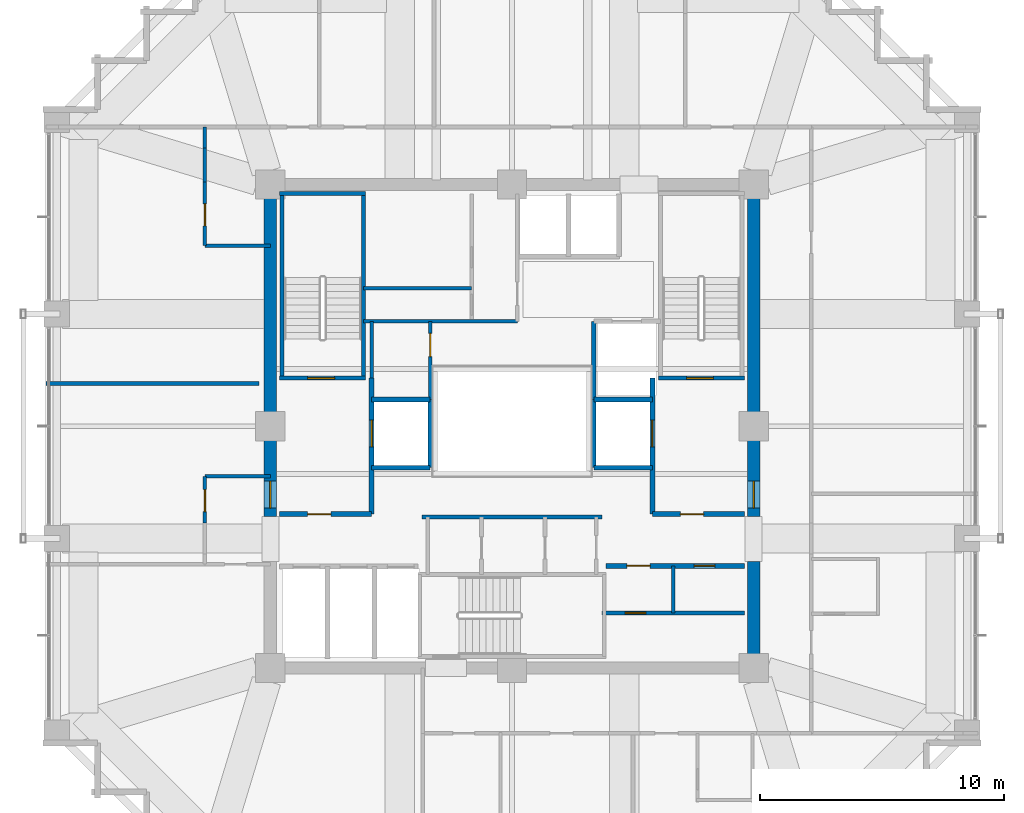
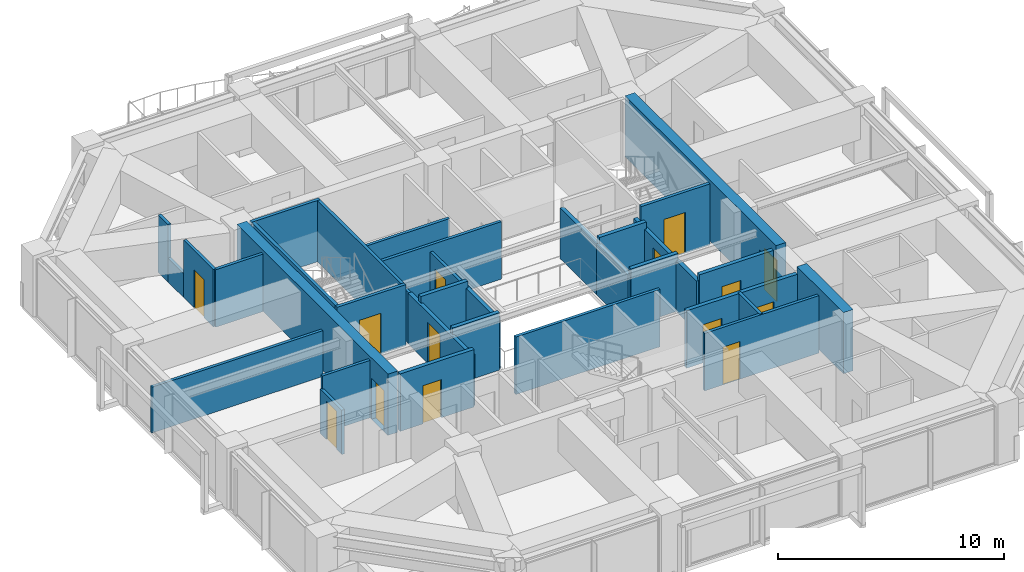
# One storey, part 25 of 28: 34 walls, 14 doors, 14 openings.
"""IFC4 building model written with IfcOpenShell, lengths in metres."""

from ifc_helpers import new_model, si_unit, direction, frame, frame_2d, origin, place, context, subcontext, project, spatial, rectangle, extrude, material, layer, layer_set, type_object, element, fill, save


model = new_model("IFC4")

# Units and contexts
model_context = context("Model", 3, precision=1e-05, world=origin(), true_north=direction((0.0, 1.0)))
body_context = subcontext(model_context, "Body", "Model", "MODEL_VIEW")
ifc_project = project(units=[si_unit("LENGTHUNIT", "METRE"), si_unit("AREAUNIT", "SQUARE_METRE"), si_unit("VOLUMEUNIT", "CUBIC_METRE"), si_unit("PLANEANGLEUNIT", "RADIAN"), si_unit("MASSUNIT", "GRAM", prefix="KILO")], contexts=[model_context])

# Site, building, storey
site_placement = place(None, origin())
site = spatial("IfcSite", under=ifc_project, at=site_placement, CompositionType="ELEMENT")
building_placement = place(site_placement, origin())
building = spatial("IfcBuilding", under=site, at=building_placement, Name="Kolvaren Belvedere", CompositionType="ELEMENT")
storey_placement = place(building_placement, frame((0.0, 0.0, 125.0)))
storey = spatial("IfcBuildingStorey", under=building, at=storey_placement, Name="L36", CompositionType="ELEMENT", Elevation=125.0)

# Wall
ifc_material_1 = material(Name="Concrete C50/60", Category="concrete")
ifc_layer_1 = layer(ifc_material_1, 0.5)
ifc_layer_set_1 = layer_set([ifc_layer_1], Name="Concrete C50/60")
wall_type_1 = type_object("IfcWallType", Name="CW-CORE-500", PredefinedType="SHEAR", material=ifc_layer_set_1)
wall_1_placement = place(storey_placement, frame((9.89990234375, -9.64990234375, 0.0), z_axis=(0.0, 0.0, 1.0), x_axis=(0.0, 1.0, 0.0)))
element("IfcWall", 1, at=wall_1_placement, inside=storey, type_object=wall_type_1, Name="L36 East Core Shear Wall 1", PredefinedType="SHEAR", context=body_context, shape_type="SweptSolid", body=[
    extrude(rectangle(XDim=4.099853515625, YDim=0.5, at=frame_2d((2.0498046875, 0.0))), origin(), (0.0, 0.0, 1.0), 3.300048828125),
])

# Wall, opening, door
wall_2_placement = place(storey_placement, frame((-9.89990234375, -3.699951171875, 0.0), z_axis=(0.0, 0.0, 1.0), x_axis=(0.0, 1.0, 0.0)))
wall_2 = element("IfcWall", 2, at=wall_2_placement, inside=storey, type_object=wall_type_1, Name="L36 West Core Shear Wall 2", PredefinedType="SHEAR", context=body_context, shape_type="SweptSolid", body=[
    extrude(rectangle(XDim=13.349853515625, YDim=0.5, at=frame_2d((6.6748046875, 0.0))), origin(), (0.0, 0.0, 1.0), 3.300048828125),
])
opening_1_placement = place(wall_2_placement, frame((0.35009765625, 0.0, 0.0)))
opening_1 = element("IfcOpeningElement", 3, at=opening_1_placement, cuts=wall_2, Name="Opening D-FD90", PredefinedType="OPENING", context=body_context, shape_type="SweptSolid", body=[
    extrude(rectangle(XDim=1.10009765625, YDim=2.199951171875, at=frame_2d((0.550048828125, 1.10009765625))), frame((0.0, 0.260009765625, 0.0), z_axis=(0.0, -1.0, 0.0), x_axis=(1.0, 0.0, 0.0)), (0.0, 0.0, 1.0), 0.52001953125),
])
ifc_material_2 = material(Name="Painted hollow stainless steel", Category="steel")
door_type_1 = type_object("IfcDoorType", Name="DR-FD90-1100", OperationType="NOTDEFINED", PredefinedType="DOOR", material=ifc_material_2)
door_1_placement = place(opening_1_placement, origin())
door_1 = element("IfcDoor", 4, at=door_1_placement, inside=storey, type_object=door_type_1, Name="L36 West Firefighting Lobby Fire Door", OperationType="SINGLE_SWING_LEFT", OverallHeight=2.199951171875, OverallWidth=1.10009765625, PredefinedType="DOOR", context=body_context, shape_type="SweptSolid", body=[
    extrude(rectangle(XDim=1.10009765625, YDim=2.199951171875, at=frame_2d((0.550048828125, 1.10009765625))), frame((0.0, 0.02490234375, 0.0), z_axis=(0.0, -1.0, 0.0), x_axis=(1.0, 0.0, 0.0)), (0.0, 0.0, 1.0), 0.050048828125),
])
fill(opening_1, door_1)

wall_3_placement = place(storey_placement, frame((9.89990234375, -3.699951171875, 0.0), z_axis=(0.0, 0.0, 1.0), x_axis=(0.0, 1.0, 0.0)))
wall_3 = element("IfcWall", 5, at=wall_3_placement, inside=storey, type_object=wall_type_1, Name="L36 East Core Shear Wall 2", PredefinedType="SHEAR", context=body_context, shape_type="SweptSolid", body=[
    extrude(rectangle(XDim=13.349853515625, YDim=0.5, at=frame_2d((6.6748046875, 0.0))), origin(), (0.0, 0.0, 1.0), 3.300048828125),
])
opening_2_placement = place(wall_3_placement, frame((0.35009765625, 0.0, 0.0)))
opening_2 = element("IfcOpeningElement", 6, at=opening_2_placement, cuts=wall_3, Name="Opening D-FD90", PredefinedType="OPENING", context=body_context, shape_type="SweptSolid", body=[
    extrude(rectangle(XDim=1.10009765625, YDim=2.199951171875, at=frame_2d((0.550048828125, 1.10009765625))), frame((0.0, 0.260009765625, 0.0), z_axis=(0.0, -1.0, 0.0), x_axis=(1.0, 0.0, 0.0)), (0.0, 0.0, 1.0), 0.52001953125),
])
door_2_placement = place(opening_2_placement, origin())
door_2 = element("IfcDoor", 7, at=door_2_placement, inside=storey, type_object=door_type_1, Name="L36 East Firefighting Lobby Fire Door", OperationType="SINGLE_SWING_RIGHT", OverallHeight=2.199951171875, OverallWidth=1.10009765625, PredefinedType="DOOR", context=body_context, shape_type="SweptSolid", body=[
    extrude(rectangle(XDim=1.10009765625, YDim=2.199951171875, at=frame_2d((0.550048828125, 1.10009765625))), frame((0.0, 0.02490234375, 0.0), z_axis=(0.0, -1.0, 0.0), x_axis=(1.0, 0.0, 0.0)), (0.0, 0.0, 1.0), 0.050048828125),
])
fill(opening_2, door_2)

ifc_material_3 = material(Name="Concrete C50/60", Category="concrete")
ifc_layer_2 = layer(ifc_material_3, 0.159912109375)
ifc_layer_set_2 = layer_set([ifc_layer_2], Name="Concrete C50/60")
wall_type_2 = type_object("IfcWallType", Name="CW-STAIR-160", PredefinedType="SHEAR", material=ifc_layer_set_2)
wall_4_placement = place(storey_placement, frame((-9.52001953125, 1.969970703125, 0.0), z_axis=(0.0, 0.0, 1.0), x_axis=(1.0, 0.0, 0.0)))
wall_4 = element("IfcWall", 8, at=wall_4_placement, inside=storey, type_object=wall_type_2, Name="L36 Stair ST-1 South Shear Wall", PredefinedType="SHEAR", context=body_context, shape_type="SweptSolid", body=[
    extrude(rectangle(XDim=3.52001953125, YDim=0.159912109375, at=frame_2d((1.760009765625, 0.0))), origin(), (0.0, 0.0, 1.0), 3.300048828125),
])
opening_3_placement = place(wall_4_placement, frame((1.14990234375, 0.0, 0.0)))
opening_3 = element("IfcOpeningElement", 9, at=opening_3_placement, cuts=wall_4, Name="Opening D-FD90", PredefinedType="OPENING", context=body_context, shape_type="SweptSolid", body=[
    extrude(rectangle(XDim=1.10009765625, YDim=2.199951171875, at=frame_2d((0.550048828125, 1.10009765625))), frame((0.0, 0.08984375, 0.0), z_axis=(0.0, -1.0, 0.0), x_axis=(1.0, 0.0, 0.0)), (0.0, 0.0, 1.0), 0.179931640625),
])
door_3_placement = place(opening_3_placement, origin())
door_3 = element("IfcDoor", 10, at=door_3_placement, inside=storey, type_object=door_type_1, Name="L36 Stair ST-1 Fire Door", OperationType="SINGLE_SWING_LEFT", OverallHeight=2.199951171875, OverallWidth=1.10009765625, PredefinedType="DOOR", context=body_context, shape_type="SweptSolid", body=[
    extrude(rectangle(XDim=1.10009765625, YDim=2.199951171875, at=frame_2d((0.550048828125, 1.10009765625))), frame((0.0, 0.02490234375, 0.0), z_axis=(0.0, -1.0, 0.0), x_axis=(1.0, 0.0, 0.0)), (0.0, 0.0, 1.0), 0.050048828125),
])
fill(opening_3, door_3)

# Walls
wall_5_placement = place(storey_placement, frame((-9.52001953125, 9.530029296875, 0.0), z_axis=(0.0, 0.0, 1.0), x_axis=(1.0, 0.0, 0.0)))
element("IfcWall", 11, at=wall_5_placement, inside=storey, type_object=wall_type_2, Name="L36 Stair ST-1 North Shear Wall", PredefinedType="SHEAR", context=body_context, shape_type="SweptSolid", body=[
    extrude(rectangle(XDim=3.52001953125, YDim=0.159912109375, at=frame_2d((1.760009765625, 0.0))), origin(), (0.0, 0.0, 1.0), 3.300048828125),
])
for number, where, z_axis, x_axis, name in (
    (12, (-9.429931640625, 1.969970703125, 0.0), (0.0, 0.0, 1.0), (0.0, 1.0, 0.0), "L36 Stair ST-1 West Shear Wall"),
    (13, (-6.080078125, 1.969970703125, 0.0), (0.0, 0.0, 1.0), (0.0, 1.0, 0.0), "L36 Stair ST-1 East Shear Wall"),
):
    element("IfcWall", number, at=place(storey_placement, frame(where, z_axis=z_axis, x_axis=x_axis)), inside=storey, type_object=wall_type_2, Name=name, PredefinedType="SHEAR", context=body_context, shape_type="SweptSolid", body=[
        extrude(rectangle(XDim=7.56005859375, YDim=0.159912109375, at=frame_2d((3.780029296875, 0.0))), origin(), (0.0, 0.0, 1.0), 3.300048828125),
    ])

# Wall, opening, door
wall_6_placement = place(storey_placement, frame((6.0, 1.969970703125, 0.0), z_axis=(0.0, 0.0, 1.0), x_axis=(1.0, 0.0, 0.0)))
wall_6 = element("IfcWall", 14, at=wall_6_placement, inside=storey, type_object=wall_type_2, Name="L36 Stair ST-2 South Shear Wall", PredefinedType="SHEAR", context=body_context, shape_type="SweptSolid", body=[
    extrude(rectangle(XDim=3.52001953125, YDim=0.159912109375, at=frame_2d((1.760009765625, 0.0))), origin(), (0.0, 0.0, 1.0), 3.300048828125),
])
opening_4_placement = place(wall_6_placement, frame((1.14990234375, 0.0, 0.0)))
opening_4 = element("IfcOpeningElement", 15, at=opening_4_placement, cuts=wall_6, Name="Opening D-FD90", PredefinedType="OPENING", context=body_context, shape_type="SweptSolid", body=[
    extrude(rectangle(XDim=1.10009765625, YDim=2.199951171875, at=frame_2d((0.550048828125, 1.10009765625))), frame((0.0, 0.08984375, 0.0), z_axis=(0.0, -1.0, 0.0), x_axis=(1.0, 0.0, 0.0)), (0.0, 0.0, 1.0), 0.179931640625),
])
door_4_placement = place(opening_4_placement, origin())
door_4 = element("IfcDoor", 16, at=door_4_placement, inside=storey, type_object=door_type_1, Name="L36 Stair ST-2 Fire Door", OperationType="SINGLE_SWING_RIGHT", OverallHeight=2.199951171875, OverallWidth=1.10009765625, PredefinedType="DOOR", context=body_context, shape_type="SweptSolid", body=[
    extrude(rectangle(XDim=1.10009765625, YDim=2.199951171875, at=frame_2d((0.550048828125, 1.10009765625))), frame((0.0, 0.02490234375, 0.0), z_axis=(0.0, -1.0, 0.0), x_axis=(1.0, 0.0, 0.0)), (0.0, 0.0, 1.0), 0.050048828125),
])
fill(opening_4, door_4)

ifc_material_4 = material(Name="Gypsum fire-rated partition assembly", Category="gypsum")
ifc_layer_3 = layer(ifc_material_4, 0.14990234375)
ifc_layer_set_3 = layer_set([ifc_layer_3], Name="Gypsum fire-rated partition assembly")
wall_type_3 = type_object("IfcWallType", Name="WL-CORR-150", PredefinedType="PARTITIONING", material=ifc_layer_set_3)
wall_7_placement = place(storey_placement, frame((-12.580078125, 7.39990234375, 0.0), z_axis=(0.0, 0.0, 1.0), x_axis=(0.0, 1.0, 0.0)))
wall_7 = element("IfcWall", 17, at=wall_7_placement, inside=storey, type_object=wall_type_3, Name="L36 NW Corridor End Wall", PredefinedType="PARTITIONING", context=body_context, shape_type="SweptSolid", body=[
    extrude(rectangle(XDim=2.615966796875, YDim=0.14990234375, at=frame_2d((1.30810546875, 0.0))), origin(), (0.0, 0.0, 1.0), 3.10009765625),
])
opening_5_placement = place(wall_7_placement, frame((0.810302734375, 0.0, 0.0)))
opening_5 = element("IfcOpeningElement", 18, at=opening_5_placement, cuts=wall_7, Name="Opening D-INT90", PredefinedType="OPENING", context=body_context, shape_type="SweptSolid", body=[
    extrude(rectangle(XDim=0.89990234375, YDim=2.06005859375, at=frame_2d((0.449951171875, 1.030029296875))), frame((0.0, 0.0849609375, 0.0), z_axis=(0.0, -1.0, 0.0), x_axis=(1.0, 0.0, 0.0)), (0.0, 0.0, 1.0), 0.169921875),
])
ifc_material_5 = material(Name="Stained Pacific white oak", Category="timber")
door_type_2 = type_object("IfcDoorType", Name="DR-INT-900", OperationType="NOTDEFINED", PredefinedType="DOOR", material=ifc_material_5)
door_5_placement = place(opening_5_placement, origin())
door_5 = element("IfcDoor", 19, at=door_5_placement, inside=storey, type_object=door_type_2, Name="L36 Lounge 3607 Door", OperationType="SINGLE_SWING_RIGHT", OverallHeight=2.06005859375, OverallWidth=0.89990234375, PredefinedType="DOOR", context=body_context, shape_type="SweptSolid", body=[
    extrude(rectangle(XDim=0.89990234375, YDim=2.06005859375, at=frame_2d((0.449951171875, 1.030029296875))), frame((0.0, 0.02490234375, 0.0), z_axis=(0.0, -1.0, 0.0), x_axis=(1.0, 0.0, 0.0)), (0.0, 0.0, 1.0), 0.050048828125),
])
fill(opening_5, door_5)

# Walls
wall_8_placement = place(storey_placement, frame((-12.580078125, 10.015869140625, 0.0), z_axis=(0.0, 0.0, 1.0), x_axis=(0.0, 1.0, 0.0)))
element("IfcWall", 20, at=wall_8_placement, inside=storey, type_object=wall_type_3, Name="L36 NW Corridor End Wall", PredefinedType="PARTITIONING", context=body_context, shape_type="SweptSolid", body=[
    extrude(rectangle(XDim=1.3916015625, YDim=0.14990234375, at=frame_2d((0.69580078125, 0.0))), origin(), (0.0, 0.0, 1.0), 1.284912109375),
])
wall_9_placement = place(storey_placement, frame((-12.580078125, 11.407470703125, 0.0), z_axis=(0.0, 0.0, 1.0), x_axis=(0.0, 1.0, 0.0)))
element("IfcWall", 21, at=wall_9_placement, inside=storey, type_object=wall_type_3, Name="L36 NW Corridor End Wall", PredefinedType="PARTITIONING", context=body_context, shape_type="SweptSolid", body=[
    extrude(rectangle(XDim=0.8525390625, YDim=0.14990234375, at=frame_2d((0.42626953125, 0.0))), origin(), (0.0, 0.0, 1.0), 3.10009765625),
])
wall_10_placement = place(storey_placement, frame((-12.580078125, 7.39990234375, 0.0), z_axis=(0.0, 0.0, 1.0), x_axis=(1.0, 0.0, 0.0)))
element("IfcWall", 22, at=wall_10_placement, inside=storey, type_object=wall_type_3, Name="L36 NW Core Closure Wall", PredefinedType="PARTITIONING", context=body_context, shape_type="SweptSolid", body=[
    extrude(rectangle(XDim=2.68017578125, YDim=0.14990234375, at=frame_2d((1.340087890625, 0.0))), origin(), (0.0, 0.0, 1.0), 3.10009765625),
])

# Wall, opening, door
wall_11_placement = place(storey_placement, frame((-12.580078125, -3.9580078125, 0.0), z_axis=(0.0, 0.0, 1.0), x_axis=(0.0, 1.0, 0.0)))
wall_11 = element("IfcWall", 23, at=wall_11_placement, inside=storey, type_object=wall_type_3, Name="L36 West FSAE Pocket Wall", PredefinedType="PARTITIONING", context=body_context, shape_type="SweptSolid", body=[
    extrude(rectangle(XDim=1.907958984375, YDim=0.14990234375, at=frame_2d((0.9541015625, 0.0))), origin(), (0.0, 0.0, 1.0), 2.388916015625),
])
opening_6_placement = place(wall_11_placement, frame((0.464111328125, 0.0, 0.0)))
opening_6 = element("IfcOpeningElement", 24, at=opening_6_placement, cuts=wall_11, Name="Opening D-INT90", PredefinedType="OPENING", context=body_context, shape_type="SweptSolid", body=[
    extrude(rectangle(XDim=0.89990234375, YDim=2.06005859375, at=frame_2d((0.449951171875, 1.030029296875))), frame((0.0, 0.0849609375, 0.0), z_axis=(0.0, -1.0, 0.0), x_axis=(1.0, 0.0, 0.0)), (0.0, 0.0, 1.0), 0.169921875),
])
door_6_placement = place(opening_6_placement, origin())
door_6 = element("IfcDoor", 25, at=door_6_placement, inside=storey, type_object=door_type_2, Name="L36 Lounge 3608 Door", OperationType="SINGLE_SWING_LEFT", OverallHeight=2.06005859375, OverallWidth=0.89990234375, PredefinedType="DOOR", context=body_context, shape_type="SweptSolid", body=[
    extrude(rectangle(XDim=0.89990234375, YDim=2.06005859375, at=frame_2d((0.449951171875, 1.030029296875))), frame((0.0, 0.02490234375, 0.0), z_axis=(0.0, -1.0, 0.0), x_axis=(1.0, 0.0, 0.0)), (0.0, 0.0, 1.0), 0.050048828125),
])
fill(opening_6, door_6)

# Walls
wall_12_placement = place(storey_placement, frame((-12.580078125, -2.050048828125, 0.0), z_axis=(0.0, 0.0, 1.0), x_axis=(1.0, 0.0, 0.0)))
element("IfcWall", 26, at=wall_12_placement, inside=storey, type_object=wall_type_3, Name="L36 West Pocket North Closure Wall", PredefinedType="PARTITIONING", context=body_context, shape_type="SweptSolid", body=[
    extrude(rectangle(XDim=2.68017578125, YDim=0.14990234375, at=frame_2d((1.340087890625, 0.0))), origin(), (0.0, 0.0, 1.0), 3.10009765625),
])
ifc_material_6 = material(Name="Gypsum acoustic partition assembly", Category="gypsum")
ifc_layer_4 = layer(ifc_material_6, 0.14990234375)
ifc_layer_set_4 = layer_set([ifc_layer_4], Name="Gypsum acoustic partition assembly")
wall_type_4 = type_object("IfcWallType", Name="WL-PART-150", PredefinedType="PARTITIONING", material=ifc_layer_set_4)
wall_13_placement = place(storey_placement, frame((-6.080078125, 4.300048828125, 0.0), z_axis=(0.0, 0.0, 1.0), x_axis=(1.0, 0.0, 0.0)))
element("IfcWall", 27, at=wall_13_placement, inside=storey, type_object=wall_type_4, Name="L36 Reclaimed Salon South Wall", PredefinedType="PARTITIONING", context=body_context, shape_type="SweptSolid", body=[
    extrude(rectangle(XDim=6.300048828125, YDim=0.14990234375, at=frame_2d((3.14990234375, 0.0))), origin(), (0.0, 0.0, 1.0), 3.10009765625),
])
wall_14_placement = place(storey_placement, frame((-6.080078125, 5.64990234375, 0.0), z_axis=(0.0, 0.0, 1.0), x_axis=(1.0, 0.0, 0.0)))
element("IfcWall", 28, at=wall_14_placement, inside=storey, type_object=wall_type_4, Name="L36 Reclaimed Tearoom H-Divider", PredefinedType="PARTITIONING", context=body_context, shape_type="SweptSolid", body=[
    extrude(rectangle(XDim=4.43017578125, YDim=0.14990234375, at=frame_2d((2.215087890625, 0.0))), origin(), (0.0, 0.0, 1.0), 3.10009765625),
])

# Wall, opening, door
wall_15_placement = place(storey_placement, frame((3.679931640625, -7.64990234375, 0.0), z_axis=(0.0, 0.0, 1.0), x_axis=(1.0, 0.0, 0.0)))
wall_15 = element("IfcWall", 29, at=wall_15_placement, inside=storey, type_object=wall_type_4, Name="L36 SE Core H-Divider", PredefinedType="PARTITIONING", context=body_context, shape_type="SweptSolid", body=[
    extrude(rectangle(XDim=5.840087890625, YDim=0.14990234375, at=frame_2d((2.919921875, 0.0))), origin(), (0.0, 0.0, 1.0), 3.10009765625),
])
opening_7_placement = place(wall_15_placement, frame((0.949951171875, 0.0, 0.0)))
opening_7 = element("IfcOpeningElement", 30, at=opening_7_placement, cuts=wall_15, Name="Opening D-INT85", PredefinedType="OPENING", context=body_context, shape_type="SweptSolid", body=[
    extrude(rectangle(XDim=0.85009765625, YDim=2.030029296875, at=frame_2d((0.425048828125, 1.01513671875))), frame((0.0, 0.0849609375, 0.0), z_axis=(0.0, -1.0, 0.0), x_axis=(1.0, 0.0, 0.0)), (0.0, 0.0, 1.0), 0.169921875),
])
ifc_material_7 = material(Name="Stained Pacific white oak", Category="timber")
door_type_3 = type_object("IfcDoorType", Name="DR-INT-850", OperationType="NOTDEFINED", PredefinedType="DOOR", material=ifc_material_7)
door_7_placement = place(opening_7_placement, origin())
door_7 = element("IfcDoor", 31, at=door_7_placement, inside=storey, type_object=door_type_3, Name="L36 SE Fibre Door", OperationType="SINGLE_SWING_RIGHT", OverallHeight=2.030029296875, OverallWidth=0.85009765625, PredefinedType="DOOR", context=body_context, shape_type="SweptSolid", body=[
    extrude(rectangle(XDim=0.85009765625, YDim=2.030029296875, at=frame_2d((0.425048828125, 1.01513671875))), frame((0.0, 0.02490234375, 0.0), z_axis=(0.0, -1.0, 0.0), x_axis=(1.0, 0.0, 0.0)), (0.0, 0.0, 1.0), 0.050048828125),
])
fill(opening_7, door_7)

# Walls
wall_16_placement = place(storey_placement, frame((6.60009765625, -7.64990234375, 0.0), z_axis=(0.0, 0.0, 1.0), x_axis=(0.0, 1.0, 0.0)))
element("IfcWall", 32, at=wall_16_placement, inside=storey, type_object=wall_type_4, Name="L36 SE Core V-Divider", PredefinedType="PARTITIONING", context=body_context, shape_type="SweptSolid", body=[
    extrude(rectangle(XDim=1.929931640625, YDim=0.14990234375, at=frame_2d((0.96484375, 0.0))), origin(), (0.0, 0.0, 1.0), 3.10009765625),
])
wall_17_placement = place(storey_placement, frame((-3.679931640625, -3.719970703125, 0.0), z_axis=(0.0, 0.0, 1.0), x_axis=(1.0, 0.0, 0.0)))
element("IfcWall", 33, at=wall_17_placement, inside=storey, type_object=wall_type_4, Name="L36 South Core Service North Wall", PredefinedType="PARTITIONING", context=body_context, shape_type="SweptSolid", body=[
    extrude(rectangle(XDim=7.35986328125, YDim=0.14990234375, at=frame_2d((3.679931640625, 0.0))), origin(), (0.0, 0.0, 1.0), 3.10009765625),
])

# Wall, opening, door
wall_18_placement = place(storey_placement, frame((-3.35009765625, 1.10009765625, 0.0), z_axis=(0.0, 0.0, 1.0), x_axis=(0.0, 1.0, 0.0)))
wall_18 = element("IfcWall", 34, at=wall_18_placement, inside=storey, type_object=wall_type_4, Name="L36 NW Service Room East Wall", PredefinedType="PARTITIONING", context=body_context, shape_type="SweptSolid", body=[
    extrude(rectangle(XDim=3.199951171875, YDim=0.14990234375, at=frame_2d((1.60009765625, 0.0))), origin(), (0.0, 0.0, 1.0), 2.735107421875),
])
opening_8_placement = place(wall_18_placement, frame((1.75, 0.0, 0.0)))
opening_8 = element("IfcOpeningElement", 35, at=opening_8_placement, cuts=wall_18, Name="Opening D-FD60", PredefinedType="OPENING", context=body_context, shape_type="SweptSolid", body=[
    extrude(rectangle(XDim=0.949951171875, YDim=2.06005859375, at=frame_2d((0.47509765625, 1.030029296875))), frame((0.0, 0.0849609375, 0.0), z_axis=(0.0, -1.0, 0.0), x_axis=(1.0, 0.0, 0.0)), (0.0, 0.0, 1.0), 0.169921875),
])
ifc_material_8 = material(Name="Acoustic white-oak fire door leaf", Category="timber")
door_type_4 = type_object("IfcDoorType", Name="DR-FD60-950", OperationType="NOTDEFINED", PredefinedType="DOOR", material=ifc_material_8)
door_8_placement = place(opening_8_placement, origin())
door_8 = element("IfcDoor", 36, at=door_8_placement, inside=storey, type_object=door_type_4, Name="L36 NW Core Store Door", OperationType="SINGLE_SWING_LEFT", OverallHeight=2.06005859375, OverallWidth=0.949951171875, PredefinedType="DOOR", context=body_context, shape_type="SweptSolid", body=[
    extrude(rectangle(XDim=0.949951171875, YDim=2.06005859375, at=frame_2d((0.47509765625, 1.030029296875))), frame((0.0, 0.02490234375, 0.0), z_axis=(0.0, -1.0, 0.0), x_axis=(1.0, 0.0, 0.0)), (0.0, 0.0, 1.0), 0.050048828125),
])
fill(opening_8, door_8)

# Walls
wall_19_placement = place(storey_placement, frame((-5.75, 1.969970703125, 0.0), z_axis=(0.0, 0.0, 1.0), x_axis=(0.0, 1.0, 0.0)))
element("IfcWall", 37, at=wall_19_placement, inside=storey, type_object=wall_type_4, Name="L36 NW Service Room West Wall", PredefinedType="PARTITIONING", context=body_context, shape_type="SweptSolid", body=[
    extrude(rectangle(XDim=2.330078125, YDim=0.14990234375, at=frame_2d((1.1650390625, 0.0))), origin(), (0.0, 0.0, 1.0), 2.735107421875),
])
wall_20_placement = place(storey_placement, frame((-19.080078125, 1.75, 0.0), z_axis=(0.0, 0.0, 1.0), x_axis=(1.0, 0.0, 0.0)))
element("IfcWall", 38, at=wall_20_placement, inside=storey, type_object=wall_type_4, Name="L36 West Upper Suite Divider", PredefinedType="PARTITIONING", context=body_context, shape_type="SweptSolid", body=[
    extrude(rectangle(XDim=8.719970703125, YDim=0.14990234375, at=frame_2d((4.35986328125, 0.0))), origin(), (0.0, 0.0, 1.0), 2.468994140625),
])

# Wall, opening, door
ifc_material_9 = material(Name="Concrete C50/60", Category="concrete")
ifc_layer_5 = layer(ifc_material_9, 0.199951171875)
ifc_layer_set_5 = layer_set([ifc_layer_5], Name="Concrete C50/60")
wall_type_5 = type_object("IfcWallType", Name="WL-SHAFT-200", PredefinedType="SOLIDWALL", material=ifc_layer_set_5)
wall_21_placement = place(storey_placement, frame((-9.52001953125, -3.60009765625, 0.0), z_axis=(0.0, 0.0, 1.0), x_axis=(1.0, 0.0, 0.0)))
wall_21 = element("IfcWall", 39, at=wall_21_placement, inside=storey, type_object=wall_type_5, Name="L36 West FSAE Lobby South Wall", PredefinedType="SOLIDWALL", context=body_context, shape_type="SweptSolid", body=[
    extrude(rectangle(XDim=3.77001953125, YDim=0.199951171875, at=frame_2d((1.885009765625, 0.0))), origin(), (0.0, 0.0, 1.0), 3.10009765625),
])
opening_9_placement = place(wall_21_placement, frame((1.14990234375, 0.0, 0.0)))
opening_9 = element("IfcOpeningElement", 40, at=opening_9_placement, cuts=wall_21, Name="Opening D-FD60", PredefinedType="OPENING", context=body_context, shape_type="SweptSolid", body=[
    extrude(rectangle(XDim=0.949951171875, YDim=2.06005859375, at=frame_2d((0.47509765625, 1.030029296875))), frame((0.0, 0.10986328125, 0.0), z_axis=(0.0, -1.0, 0.0), x_axis=(1.0, 0.0, 0.0)), (0.0, 0.0, 1.0), 0.219970703125),
])
door_9_placement = place(opening_9_placement, origin())
door_9 = element("IfcDoor", 41, at=door_9_placement, inside=storey, type_object=door_type_4, Name="L36 Mid-Rise Lift Lobby Fire Door", OperationType="SINGLE_SWING_LEFT", OverallHeight=2.06005859375, OverallWidth=0.949951171875, PredefinedType="DOOR", context=body_context, shape_type="SweptSolid", body=[
    extrude(rectangle(XDim=0.949951171875, YDim=2.06005859375, at=frame_2d((0.47509765625, 1.030029296875))), frame((0.0, 0.02490234375, 0.0), z_axis=(0.0, -1.0, 0.0), x_axis=(1.0, 0.0, 0.0)), (0.0, 0.0, 1.0), 0.050048828125),
])
fill(opening_9, door_9)

wall_22_placement = place(storey_placement, frame((-5.75, -3.60009765625, 0.0), z_axis=(0.0, 0.0, 1.0), x_axis=(0.0, 1.0, 0.0)))
wall_22 = element("IfcWall", 42, at=wall_22_placement, inside=storey, type_object=wall_type_5, Name="L36 FSAE FS1 Landing Wall", PredefinedType="SOLIDWALL", context=body_context, shape_type="SweptSolid", body=[
    extrude(rectangle(XDim=5.570068359375, YDim=0.199951171875, at=frame_2d((2.78515625, 0.0))), origin(), (0.0, 0.0, 1.0), 2.735107421875),
])
opening_10_placement = place(wall_22_placement, frame((2.75, 0.0, 0.0)))
opening_10 = element("IfcOpeningElement", 43, at=opening_10_placement, cuts=wall_22, Name="Opening LD-11", PredefinedType="OPENING", context=body_context, shape_type="SweptSolid", body=[
    extrude(rectangle(XDim=1.10009765625, YDim=2.199951171875, at=frame_2d((0.550048828125, 1.10009765625))), frame((0.0, 0.10986328125, 0.0), z_axis=(0.0, -1.0, 0.0), x_axis=(1.0, 0.0, 0.0)), (0.0, 0.0, 1.0), 0.219970703125),
])
ifc_material_10 = material(Name="Brushed stainless steel", Category="steel")
door_type_5 = type_object("IfcDoorType", Name="DR-LIFT-1100", OperationType="DOUBLE_DOOR_SLIDING", PredefinedType="DOOR", material=ifc_material_10)
door_10_placement = place(opening_10_placement, origin())
door_10 = element("IfcDoor", 44, at=door_10_placement, inside=storey, type_object=door_type_5, Name="L36 Firefighting Lift FS1 Landing Door", OperationType="DOUBLE_DOOR_SLIDING", OverallHeight=2.199951171875, OverallWidth=1.10009765625, PredefinedType="DOOR", context=body_context, shape_type="SweptSolid", body=[
    extrude(rectangle(XDim=1.10009765625, YDim=2.199951171875, at=frame_2d((0.550048828125, 1.10009765625))), frame((0.0, 0.02490234375, 0.0), z_axis=(0.0, -1.0, 0.0), x_axis=(1.0, 0.0, 0.0)), (0.0, 0.0, 1.0), 0.050048828125),
])
fill(opening_10, door_10)

# Walls
wall_23_placement = place(storey_placement, frame((-3.35009765625, -1.699951171875, 0.0), z_axis=(0.0, 0.0, 1.0), x_axis=(0.0, 1.0, 0.0)))
element("IfcWall", 45, at=wall_23_placement, inside=storey, type_object=wall_type_5, Name="L36 FSAE FS1 Back Wall", PredefinedType="SOLIDWALL", context=body_context, shape_type="SweptSolid", body=[
    extrude(rectangle(XDim=2.800048828125, YDim=0.199951171875, at=frame_2d((1.39990234375, 0.0))), origin(), (0.0, 0.0, 1.0), 2.735107421875),
])
for number, where, z_axis, x_axis, name in (
    (46, (-5.75, -1.699951171875, 0.0), (0.0, 0.0, 1.0), (1.0, 0.0, 0.0), "L36 FSAE FS1 South Wall"),
    (47, (-5.75, 1.10009765625, 0.0), (0.0, 0.0, 1.0), (1.0, 0.0, 0.0), "L36 FSAE FS1 North Wall"),
):
    element("IfcWall", number, at=place(storey_placement, frame(where, z_axis=z_axis, x_axis=x_axis)), inside=storey, type_object=wall_type_5, Name=name, PredefinedType="SOLIDWALL", context=body_context, shape_type="SweptSolid", body=[
        extrude(rectangle(XDim=2.39990234375, YDim=0.199951171875, at=frame_2d((1.199951171875, 0.0))), origin(), (0.0, 0.0, 1.0), 3.10009765625),
    ])

# Wall, opening, door
wall_24_placement = place(storey_placement, frame((5.75, -3.60009765625, 0.0), z_axis=(0.0, 0.0, 1.0), x_axis=(1.0, 0.0, 0.0)))
wall_24 = element("IfcWall", 48, at=wall_24_placement, inside=storey, type_object=wall_type_5, Name="L36 East FSAE Lobby South Wall", PredefinedType="SOLIDWALL", context=body_context, shape_type="SweptSolid", body=[
    extrude(rectangle(XDim=3.77001953125, YDim=0.199951171875, at=frame_2d((1.885009765625, 0.0))), origin(), (0.0, 0.0, 1.0), 3.10009765625),
])
opening_11_placement = place(wall_24_placement, frame((1.14990234375, 0.0, 0.0)))
opening_11 = element("IfcOpeningElement", 49, at=opening_11_placement, cuts=wall_24, Name="Opening D-FD60", PredefinedType="OPENING", context=body_context, shape_type="SweptSolid", body=[
    extrude(rectangle(XDim=0.949951171875, YDim=2.06005859375, at=frame_2d((0.47509765625, 1.030029296875))), frame((0.0, 0.10986328125, 0.0), z_axis=(0.0, -1.0, 0.0), x_axis=(1.0, 0.0, 0.0)), (0.0, 0.0, 1.0), 0.219970703125),
])
door_11_placement = place(opening_11_placement, origin())
door_11 = element("IfcDoor", 50, at=door_11_placement, inside=storey, type_object=door_type_4, Name="L36 SE Lift Lobby Fire Door", OperationType="SINGLE_SWING_RIGHT", OverallHeight=2.06005859375, OverallWidth=0.949951171875, PredefinedType="DOOR", context=body_context, shape_type="SweptSolid", body=[
    extrude(rectangle(XDim=0.949951171875, YDim=2.06005859375, at=frame_2d((0.47509765625, 1.030029296875))), frame((0.0, 0.02490234375, 0.0), z_axis=(0.0, -1.0, 0.0), x_axis=(1.0, 0.0, 0.0)), (0.0, 0.0, 1.0), 0.050048828125),
])
fill(opening_11, door_11)

wall_25_placement = place(storey_placement, frame((5.75, -3.60009765625, 0.0), z_axis=(0.0, 0.0, 1.0), x_axis=(0.0, 1.0, 0.0)))
wall_25 = element("IfcWall", 51, at=wall_25_placement, inside=storey, type_object=wall_type_5, Name="L36 FSAE FS2 Landing Wall", PredefinedType="SOLIDWALL", context=body_context, shape_type="SweptSolid", body=[
    extrude(rectangle(XDim=5.570068359375, YDim=0.199951171875, at=frame_2d((2.78515625, 0.0))), origin(), (0.0, 0.0, 1.0), 2.735107421875),
])
opening_12_placement = place(wall_25_placement, frame((2.75, 0.0, 0.0)))
opening_12 = element("IfcOpeningElement", 52, at=opening_12_placement, cuts=wall_25, Name="Opening LD-11", PredefinedType="OPENING", context=body_context, shape_type="SweptSolid", body=[
    extrude(rectangle(XDim=1.10009765625, YDim=2.199951171875, at=frame_2d((0.550048828125, 1.10009765625))), frame((0.0, 0.10986328125, 0.0), z_axis=(0.0, -1.0, 0.0), x_axis=(1.0, 0.0, 0.0)), (0.0, 0.0, 1.0), 0.219970703125),
])
door_12_placement = place(opening_12_placement, origin())
door_12 = element("IfcDoor", 53, at=door_12_placement, inside=storey, type_object=door_type_5, Name="L36 Firefighting Lift FS2 Landing Door", OperationType="DOUBLE_DOOR_SLIDING", OverallHeight=2.199951171875, OverallWidth=1.10009765625, PredefinedType="DOOR", context=body_context, shape_type="SweptSolid", body=[
    extrude(rectangle(XDim=1.10009765625, YDim=2.199951171875, at=frame_2d((0.550048828125, 1.10009765625))), frame((0.0, 0.02490234375, 0.0), z_axis=(0.0, -1.0, 0.0), x_axis=(1.0, 0.0, 0.0)), (0.0, 0.0, 1.0), 0.050048828125),
])
fill(opening_12, door_12)

# Walls
wall_26_placement = place(storey_placement, frame((3.35009765625, -1.699951171875, 0.0), z_axis=(0.0, 0.0, 1.0), x_axis=(0.0, 1.0, 0.0)))
element("IfcWall", 54, at=wall_26_placement, inside=storey, type_object=wall_type_5, Name="L36 FSAE FS2 Back Wall", PredefinedType="SOLIDWALL", context=body_context, shape_type="SweptSolid", body=[
    extrude(rectangle(XDim=2.800048828125, YDim=0.199951171875, at=frame_2d((1.39990234375, 0.0))), origin(), (0.0, 0.0, 1.0), 2.735107421875),
])
for number, where, z_axis, x_axis, name in (
    (55, (3.35009765625, -1.699951171875, 0.0), (0.0, 0.0, 1.0), (1.0, 0.0, 0.0), "L36 FSAE FS2 South Wall"),
    (56, (3.35009765625, 1.10009765625, 0.0), (0.0, 0.0, 1.0), (1.0, 0.0, 0.0), "L36 FSAE FS2 North Wall"),
):
    element("IfcWall", number, at=place(storey_placement, frame(where, z_axis=z_axis, x_axis=x_axis)), inside=storey, type_object=wall_type_5, Name=name, PredefinedType="SOLIDWALL", context=body_context, shape_type="SweptSolid", body=[
        extrude(rectangle(XDim=2.39990234375, YDim=0.199951171875, at=frame_2d((1.199951171875, 0.0))), origin(), (0.0, 0.0, 1.0), 3.10009765625),
    ])
wall_27_placement = place(storey_placement, frame((3.35009765625, 1.10009765625, 0.0), z_axis=(0.0, 0.0, 1.0), x_axis=(0.0, 1.0, 0.0)))
element("IfcWall", 57, at=wall_27_placement, inside=storey, type_object=wall_type_5, Name="L36 Service Lift SV1 West Wall", PredefinedType="SOLIDWALL", context=body_context, shape_type="SweptSolid", body=[
    extrude(rectangle(XDim=3.199951171875, YDim=0.199951171875, at=frame_2d((1.60009765625, 0.0))), origin(), (0.0, 0.0, 1.0), 2.735107421875),
])

# Wall, openings, doors
wall_28_placement = place(storey_placement, frame((3.860107421875, -5.719970703125, 0.0), z_axis=(0.0, 0.0, 1.0), x_axis=(1.0, 0.0, 0.0)))
wall_28 = element("IfcWall", 58, at=wall_28_placement, inside=storey, type_object=wall_type_5, Name="L36 SE Core Distribution Wall", PredefinedType="SOLIDWALL", context=body_context, shape_type="SweptSolid", body=[
    extrude(rectangle(XDim=5.659912109375, YDim=0.199951171875, at=frame_2d((2.830078125, 0.0))), origin(), (0.0, 0.0, 1.0), 3.10009765625),
])
opening_13_placement = place(wall_28_placement, frame((0.85009765625, 0.0, 0.0)))
opening_13 = element("IfcOpeningElement", 59, at=opening_13_placement, cuts=wall_28, Name="Opening D-FD60", PredefinedType="OPENING", context=body_context, shape_type="SweptSolid", body=[
    extrude(rectangle(XDim=0.949951171875, YDim=2.06005859375, at=frame_2d((0.47509765625, 1.030029296875))), frame((0.0, 0.10986328125, 0.0), z_axis=(0.0, -1.0, 0.0), x_axis=(1.0, 0.0, 0.0)), (0.0, 0.0, 1.0), 0.219970703125),
])
opening_14_placement = place(wall_28_placement, frame((3.60009765625, 0.0, 0.0)))
opening_14 = element("IfcOpeningElement", 60, at=opening_14_placement, cuts=wall_28, Name="Opening D-INT85", PredefinedType="OPENING", context=body_context, shape_type="SweptSolid", body=[
    extrude(rectangle(XDim=0.85009765625, YDim=2.030029296875, at=frame_2d((0.425048828125, 1.01513671875))), frame((0.0, 0.10986328125, 0.0), z_axis=(0.0, -1.0, 0.0), x_axis=(1.0, 0.0, 0.0)), (0.0, 0.0, 1.0), 0.219970703125),
])
door_13_placement = place(opening_13_placement, origin())
door_13 = element("IfcDoor", 61, at=door_13_placement, inside=storey, type_object=door_type_4, Name="L36 SE Pantry Door", OperationType="SINGLE_SWING_RIGHT", OverallHeight=2.06005859375, OverallWidth=0.949951171875, PredefinedType="DOOR", context=body_context, shape_type="SweptSolid", body=[
    extrude(rectangle(XDim=0.949951171875, YDim=2.06005859375, at=frame_2d((0.47509765625, 1.030029296875))), frame((0.0, 0.02490234375, 0.0), z_axis=(0.0, -1.0, 0.0), x_axis=(1.0, 0.0, 0.0)), (0.0, 0.0, 1.0), 0.050048828125),
])
fill(opening_13, door_13)
door_14_placement = place(opening_14_placement, origin())
door_14 = element("IfcDoor", 62, at=door_14_placement, inside=storey, type_object=door_type_3, Name="L36 SE Linen Door", OperationType="SINGLE_SWING_LEFT", OverallHeight=2.030029296875, OverallWidth=0.85009765625, PredefinedType="DOOR", context=body_context, shape_type="SweptSolid", body=[
    extrude(rectangle(XDim=0.85009765625, YDim=2.030029296875, at=frame_2d((0.425048828125, 1.01513671875))), frame((0.0, 0.02490234375, 0.0), z_axis=(0.0, -1.0, 0.0), x_axis=(1.0, 0.0, 0.0)), (0.0, 0.0, 1.0), 0.050048828125),
])
fill(opening_14, door_14)

save(model, "model.ifc")
